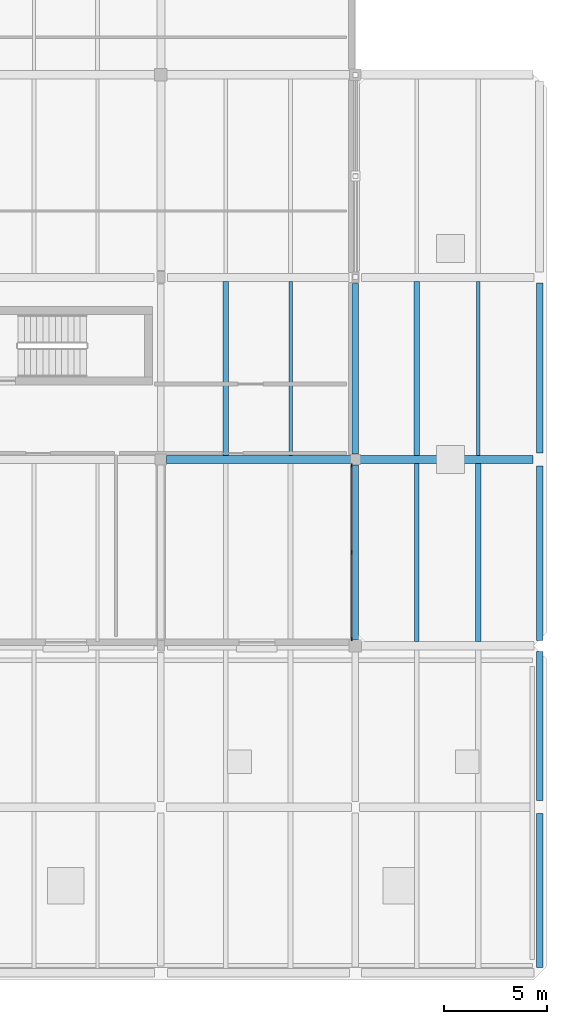
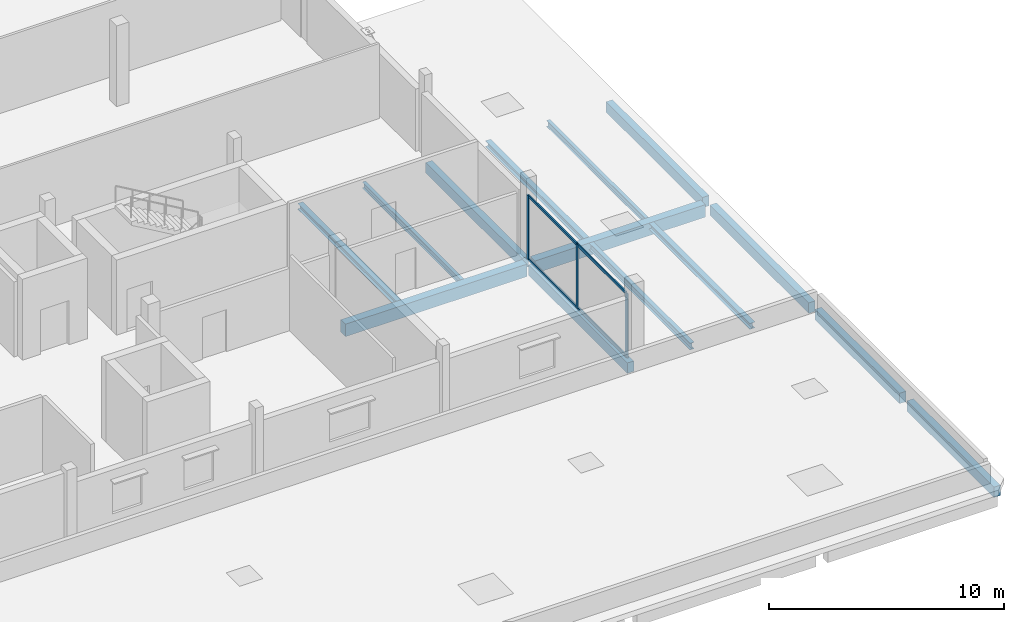
# One storey, part 25 of 66: 14 beams, 7 members, 1 element without a shape of its own.
"""IFC4 building model written with IfcOpenShell, lengths in metres."""

from ifc_helpers import new_model, si_unit, direction, frame, origin, origin_2d, place, context, subcontext, project, spatial, rectangle, i_section, extrude, material, layer, layer_set, material_profile, profile_set, type_object, element, aggregate, save


model = new_model("IFC4")

# Units and contexts
model_context = context("Model", 3, precision=1e-05, world=origin(), true_north=direction((0.0, 1.0)))
body_context = subcontext(model_context, "Body", "Model", "MODEL_VIEW")
ifc_project = project(units=[si_unit("LENGTHUNIT", "METRE"), si_unit("AREAUNIT", "SQUARE_METRE"), si_unit("VOLUMEUNIT", "CUBIC_METRE"), si_unit("PLANEANGLEUNIT", "RADIAN"), si_unit("MASSUNIT", "GRAM", prefix="KILO")], contexts=[model_context])

# Site, building, storey
site_placement = place(None, origin())
site = spatial("IfcSite", under=ifc_project, at=site_placement, CompositionType="ELEMENT")
building_placement = place(site_placement, origin())
building = spatial("IfcBuilding", under=site, at=building_placement, Name="Birchvale Park Specialist Clinic", CompositionType="ELEMENT")
storey_placement = place(building_placement, frame((0.0, 0.0, 5.39990234375)))
storey = spatial("IfcBuildingStorey", under=building, at=storey_placement, Name="L01", CompositionType="ELEMENT", Elevation=5.39990234375)

# Beams
ifc_material_1 = material(Name="Concrete C40/50", Category="concrete")
ifc_material_profile_1 = material_profile(ifc_material_1, rectangle(XDim=0.320068359375, YDim=0.5400390625, at=origin_2d()), Name="RCB-320x540")
ifc_profile_set_1 = profile_set([ifc_material_profile_1], Name="Concrete C40/50")
beam_type_1 = type_object("IfcBeamType", Name="BM-EXT-BG7", PredefinedType="BEAM", material=ifc_profile_set_1)
beam_1_placement = place(storey_placement, frame((155.800048828125, 17.10009765625, -0.56982421875), z_axis=(0.0, 1.0, 0.0), x_axis=(-1.0, 0.0, 0.0)))
element("IfcBeam", 1, at=beam_1_placement, inside=storey, type_object=beam_type_1, Name="V5 L01 Y girder 63", PredefinedType="BEAM", context=body_context, shape_type="SweptSolid", body=[
    extrude(rectangle(XDim=0.320068359375, YDim=0.5400390625, at=origin_2d()), origin(), (0.0, 0.0, 1.0), 8.4248046875),
])
beam_2_placement = place(storey_placement, frame((155.800048828125, 26.074951171875, -0.56982421875), z_axis=(0.0, 1.0, 0.0), x_axis=(-1.0, 0.0, 0.0)))
element("IfcBeam", 2, at=beam_2_placement, inside=storey, type_object=beam_type_1, Name="V5 L01 Y girder 64", PredefinedType="BEAM", context=body_context, shape_type="SweptSolid", body=[
    extrude(rectangle(XDim=0.320068359375, YDim=0.5400390625, at=origin_2d()), origin(), (0.0, 0.0, 1.0), 8.22509765625),
])
beam_3_placement = place(storey_placement, frame((164.699951171875, 1.264892578125, -0.544921875), z_axis=(0.0, 1.0, 0.0), x_axis=(-1.0, 0.0, 0.0)))
element("IfcBeam", 3, at=beam_3_placement, inside=storey, type_object=beam_type_1, Name="V5 L01 Y girder 66", PredefinedType="BEAM", context=body_context, shape_type="SweptSolid", body=[
    extrude(rectangle(XDim=0.320068359375, YDim=0.5400390625, at=origin_2d()), origin(), (0.0, 0.0, 1.0), 7.420166015625),
])
beam_4_placement = place(storey_placement, frame((164.699951171875, 9.31494140625, -0.544921875), z_axis=(0.0, 1.0, 0.0), x_axis=(-1.0, 0.0, 0.0)))
element("IfcBeam", 4, at=beam_4_placement, inside=storey, type_object=beam_type_1, Name="V5 L01 Y girder 67", PredefinedType="BEAM", context=body_context, shape_type="SweptSolid", body=[
    extrude(rectangle(XDim=0.320068359375, YDim=0.5400390625, at=origin_2d()), origin(), (0.0, 0.0, 1.0), 7.219970703125),
])
beam_5_placement = place(storey_placement, frame((164.699951171875, 17.06494140625, -0.544921875), z_axis=(0.0, 1.0, 0.0), x_axis=(-1.0, 0.0, 0.0)))
element("IfcBeam", 5, at=beam_5_placement, inside=storey, type_object=beam_type_1, Name="V5 L01 Y girder 68", PredefinedType="BEAM", context=body_context, shape_type="SweptSolid", body=[
    extrude(rectangle(XDim=0.320068359375, YDim=0.5400390625, at=origin_2d()), origin(), (0.0, 0.0, 1.0), 8.420166015625),
])
beam_6_placement = place(storey_placement, frame((164.699951171875, 26.114990234375, -0.544921875), z_axis=(0.0, 1.0, 0.0), x_axis=(-1.0, 0.0, 0.0)))
element("IfcBeam", 6, at=beam_6_placement, inside=storey, type_object=beam_type_1, Name="V5 L01 Y girder 69", PredefinedType="BEAM", context=body_context, shape_type="SweptSolid", body=[
    extrude(rectangle(XDim=0.320068359375, YDim=0.5400390625, at=origin_2d()), origin(), (0.0, 0.0, 1.0), 8.219970703125),
])
ifc_material_profile_2 = material_profile(ifc_material_1, rectangle(XDim=0.39990234375, YDim=0.64990234375, at=origin_2d()), Name="RCB-400x650")
ifc_profile_set_2 = profile_set([ifc_material_profile_2], Name="Concrete C40/50")
beam_type_2 = type_object("IfcBeamType", Name="BM-INT-BG4", PredefinedType="BEAM", material=ifc_profile_set_2)
beam_7_placement = place(storey_placement, frame((146.675048828125, 25.800048828125, -0.625), z_axis=(1.0, 0.0, 0.0), x_axis=(0.0, 1.0, 0.0)))
element("IfcBeam", 7, at=beam_7_placement, inside=storey, type_object=beam_type_2, Name="V5 L01 X girder 19", PredefinedType="BEAM", context=body_context, shape_type="SweptSolid", body=[
    extrude(rectangle(XDim=0.39990234375, YDim=0.64990234375, at=origin_2d()), origin(), (0.0, 0.0, 1.0), 8.925048828125),
])
beam_8_placement = place(storey_placement, frame((156.0, 25.800048828125, -0.599853515625), z_axis=(1.0, 0.0, 0.0), x_axis=(0.0, 1.0, 0.0)))
element("IfcBeam", 8, at=beam_8_placement, inside=storey, type_object=beam_type_2, Name="V5 L01 X girder 20", PredefinedType="BEAM", context=body_context, shape_type="SweptSolid", body=[
    extrude(rectangle(XDim=0.39990234375, YDim=0.64990234375, at=origin_2d()), origin(), (0.0, 0.0, 1.0), 8.385009765625),
])

# Curtain wall, members
ifc_material_2 = material(Name="Thermally broken anodised aluminium", Category="aluminium")
ifc_layer = layer(ifc_material_2, 0.195068359375)
ifc_layer_set = layer_set([ifc_layer], Name="Thermally broken anodised aluminium")
curtain_wall_type = type_object("IfcCurtainWallType", Name="CW-U2", PredefinedType="USERDEFINED", material=ifc_layer_set)
curtain_wall_placement = place(storey_placement, origin())
curtain_wall = element("IfcCurtainWall", 9, at=curtain_wall_placement, inside=storey, type_object=curtain_wall_type, Name="V5 L01 glazed curtain wall 91", ObjectType="UNITISED", PredefinedType="USERDEFINED")
ifc_material_profile_3 = material_profile(ifc_material_2, rectangle(XDim=0.06494140625, YDim=0.179931640625, at=origin_2d()), Name="CWM-65x180")
ifc_profile_set_3 = profile_set([ifc_material_profile_3], Name="Thermally broken anodised aluminium")
member_type_1 = type_object("IfcMemberType", Name="CWM2", PredefinedType="MULLION", material=ifc_profile_set_3)
member_1_placement = place(storey_placement, frame((155.625, 17.132568359375, 0.0), z_axis=(0.0, 0.0, 1.0), x_axis=(-1.0, 0.0, 0.0)))
member_1 = element("IfcMember", 10, at=member_1_placement, type_object=member_type_1, Name="CW mullion 1", PredefinedType="MULLION", context=body_context, shape_type="SweptSolid", body=[
    extrude(rectangle(XDim=0.06494140625, YDim=0.179931640625, at=origin_2d()), origin(), (0.0, 0.0, 1.0), 3.34521484375),
])
member_2_placement = place(storey_placement, frame((155.625, 21.324951171875, 0.0), z_axis=(0.0, 0.0, 1.0), x_axis=(-1.0, 0.0, 0.0)))
member_2 = element("IfcMember", 11, at=member_2_placement, type_object=member_type_1, Name="CW mullion 2", PredefinedType="MULLION", context=body_context, shape_type="SweptSolid", body=[
    extrude(rectangle(XDim=0.06494140625, YDim=0.179931640625, at=origin_2d()), origin(), (0.0, 0.0, 1.0), 3.34521484375),
])
member_3_placement = place(storey_placement, frame((155.625, 25.517578125, 0.0), z_axis=(0.0, 0.0, 1.0), x_axis=(-1.0, 0.0, 0.0)))
member_3 = element("IfcMember", 12, at=member_3_placement, type_object=member_type_1, Name="CW mullion 3", PredefinedType="MULLION", context=body_context, shape_type="SweptSolid", body=[
    extrude(rectangle(XDim=0.06494140625, YDim=0.179931640625, at=origin_2d()), origin(), (0.0, 0.0, 1.0), 3.34521484375),
])
ifc_material_profile_4 = material_profile(ifc_material_2, rectangle(XDim=0.06494140625, YDim=0.139892578125, at=origin_2d()), Name="CWT-65x140")
ifc_profile_set_4 = profile_set([ifc_material_profile_4], Name="Thermally broken anodised aluminium")
member_type_2 = type_object("IfcMemberType", Name="CWT2", PredefinedType="USERDEFINED", material=ifc_profile_set_4)
member_4_placement = place(storey_placement, frame((155.625, 17.1650390625, 0.03271484375), z_axis=(0.0, 1.0, 0.0), x_axis=(-1.0, 0.0, 0.0)))
member_4 = element("IfcMember", 13, at=member_4_placement, type_object=member_type_2, Name="CW transom 1.1", ObjectType="TRANSOM", PredefinedType="USERDEFINED", context=body_context, shape_type="SweptSolid", body=[
    extrude(rectangle(XDim=0.06494140625, YDim=0.139892578125, at=origin_2d()), origin(), (0.0, 0.0, 1.0), 4.12744140625),
])
member_5_placement = place(storey_placement, frame((155.625, 17.1650390625, 3.3125), z_axis=(0.0, 1.0, 0.0), x_axis=(-1.0, 0.0, 0.0)))
member_5 = element("IfcMember", 14, at=member_5_placement, type_object=member_type_2, Name="CW transom 1.2", ObjectType="TRANSOM", PredefinedType="USERDEFINED", context=body_context, shape_type="SweptSolid", body=[
    extrude(rectangle(XDim=0.06494140625, YDim=0.139892578125, at=origin_2d()), origin(), (0.0, 0.0, 1.0), 4.12744140625),
])
member_6_placement = place(storey_placement, frame((155.625, 21.357421875, 0.03271484375), z_axis=(0.0, 1.0, 0.0), x_axis=(-1.0, 0.0, 0.0)))
member_6 = element("IfcMember", 15, at=member_6_placement, type_object=member_type_2, Name="CW transom 2.1", ObjectType="TRANSOM", PredefinedType="USERDEFINED", context=body_context, shape_type="SweptSolid", body=[
    extrude(rectangle(XDim=0.06494140625, YDim=0.139892578125, at=origin_2d()), origin(), (0.0, 0.0, 1.0), 4.127685546875),
])
member_7_placement = place(storey_placement, frame((155.625, 21.357421875, 3.3125), z_axis=(0.0, 1.0, 0.0), x_axis=(-1.0, 0.0, 0.0)))
member_7 = element("IfcMember", 16, at=member_7_placement, type_object=member_type_2, Name="CW transom 2.2", ObjectType="TRANSOM", PredefinedType="USERDEFINED", context=body_context, shape_type="SweptSolid", body=[
    extrude(rectangle(XDim=0.06494140625, YDim=0.139892578125, at=origin_2d()), origin(), (0.0, 0.0, 1.0), 4.127685546875),
])
aggregate(curtain_wall, [member_1, member_2, member_3, member_4, member_5, member_6, member_7])

# Beams
ifc_material_3 = material(Name="Steel ASTM A992 Grade 50", Category="steel")
ifc_material_profile_5 = material_profile(ifc_material_3, i_section(OverallWidth=0.2041015625, OverallDepth=0.35107421875, WebThickness=0.008544921875, FlangeThickness=0.01513671875, at=origin_2d()), Name="W14X48")
ifc_profile_set_5 = profile_set([ifc_material_profile_5], Name="Steel ASTM A992 Grade 50")
beam_type_3 = type_object("IfcBeamType", Name="STL-INT-SJ1", PredefinedType="JOIST", material=ifc_profile_set_5)
beam_9_placement = place(storey_placement, frame((158.7666015625, 17.0, -0.450439453125), z_axis=(0.0, 1.0, 0.0), x_axis=(-1.0, 0.0, 0.0)))
element("IfcBeam", 17, at=beam_9_placement, inside=storey, type_object=beam_type_3, Name="V5 L01 secondary floor joist 49", PredefinedType="JOIST", context=body_context, shape_type="SweptSolid", body=[
    extrude(i_section(OverallWidth=0.2041015625, OverallDepth=0.35107421875, WebThickness=0.008544921875, FlangeThickness=0.01513671875, at=origin_2d()), origin(), (0.0, 0.0, 1.0), 8.60009765625),
])
ifc_material_profile_6 = material_profile(ifc_material_3, i_section(OverallWidth=0.25390625, OverallDepth=0.305908203125, WebThickness=0.0087890625, FlangeThickness=0.0146484375, at=origin_2d()), Name="W12X53")
ifc_profile_set_6 = profile_set([ifc_material_profile_6], Name="Steel ASTM A992 Grade 50")
beam_type_4 = type_object("IfcBeamType", Name="STL-INT-SJ2", PredefinedType="JOIST", material=ifc_profile_set_6)
beam_10_placement = place(storey_placement, frame((149.533203125, 26.0, -0.452880859375), z_axis=(0.0, 1.0, 0.0), x_axis=(-1.0, 0.0, 0.0)))
element("IfcBeam", 18, at=beam_10_placement, inside=storey, type_object=beam_type_4, Name="V5 L01 secondary floor joist 41", PredefinedType="JOIST", context=body_context, shape_type="SweptSolid", body=[
    extrude(i_section(OverallWidth=0.25390625, OverallDepth=0.305908203125, WebThickness=0.0087890625, FlangeThickness=0.0146484375, at=origin_2d()), origin(), (0.0, 0.0, 1.0), 8.39990234375),
])
beam_11_placement = place(storey_placement, frame((161.7333984375, 17.0, -0.427978515625), z_axis=(0.0, 1.0, 0.0), x_axis=(-1.0, 0.0, 0.0)))
element("IfcBeam", 19, at=beam_11_placement, inside=storey, type_object=beam_type_4, Name="V5 L01 secondary floor joist 50", PredefinedType="JOIST", context=body_context, shape_type="SweptSolid", body=[
    extrude(i_section(OverallWidth=0.25390625, OverallDepth=0.305908203125, WebThickness=0.0087890625, FlangeThickness=0.0146484375, at=origin_2d()), origin(), (0.0, 0.0, 1.0), 8.60009765625),
])
beam_12_placement = place(storey_placement, frame((158.7666015625, 26.0, -0.427978515625), z_axis=(0.0, 1.0, 0.0), x_axis=(-1.0, 0.0, 0.0)))
element("IfcBeam", 20, at=beam_12_placement, inside=storey, type_object=beam_type_4, Name="V5 L01 secondary floor joist 51", PredefinedType="JOIST", context=body_context, shape_type="SweptSolid", body=[
    extrude(i_section(OverallWidth=0.25390625, OverallDepth=0.305908203125, WebThickness=0.0087890625, FlangeThickness=0.0146484375, at=origin_2d()), origin(), (0.0, 0.0, 1.0), 8.39990234375),
])
ifc_material_profile_7 = material_profile(ifc_material_3, i_section(OverallWidth=0.1669921875, OverallDepth=0.31689453125, WebThickness=0.007568359375, FlangeThickness=0.01318359375, at=origin_2d()), Name="W12X35")
ifc_profile_set_7 = profile_set([ifc_material_profile_7], Name="Steel ASTM A992 Grade 50")
beam_type_5 = type_object("IfcBeamType", Name="STL-INT-SJ3", PredefinedType="JOIST", material=ifc_profile_set_7)
for number, where, z_axis, x_axis, name in (
    (21, (152.666748046875, 26.0, -0.45849609375), (0.0, 1.0, 0.0), (-1.0, 0.0, 0.0), "V5 L01 secondary floor joist 42"),
    (22, (161.7333984375, 26.0, -0.433349609375), (0.0, 1.0, 0.0), (-1.0, 0.0, 0.0), "V5 L01 secondary floor joist 52"),
):
    element("IfcBeam", number, at=place(storey_placement, frame(where, z_axis=z_axis, x_axis=x_axis)), inside=storey, type_object=beam_type_5, Name=name, PredefinedType="JOIST", context=body_context, shape_type="SweptSolid", body=[
        extrude(i_section(OverallWidth=0.1669921875, OverallDepth=0.31689453125, WebThickness=0.007568359375, FlangeThickness=0.01318359375, at=origin_2d()), origin(), (0.0, 0.0, 1.0), 8.39990234375),
    ])

save(model, "model.ifc")
